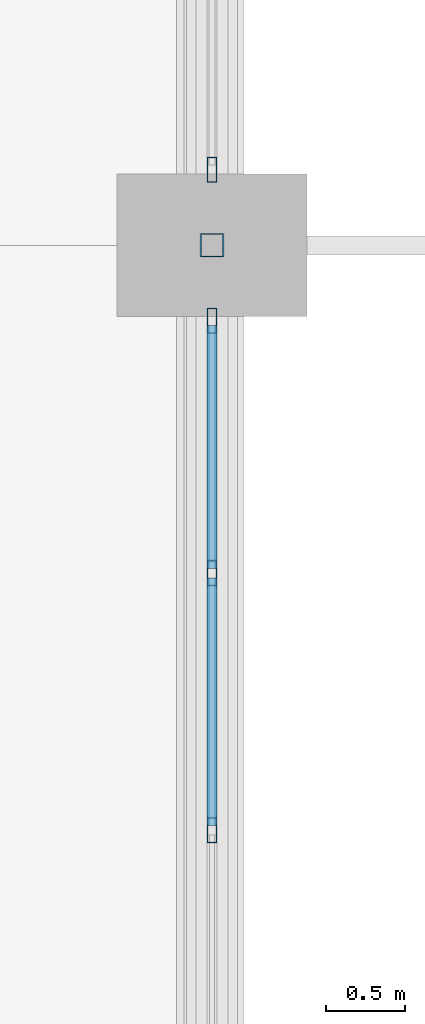
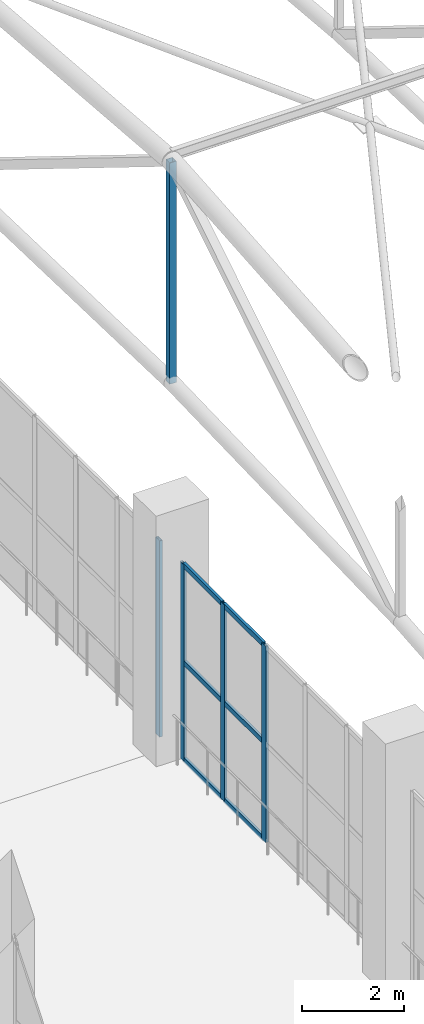
# One storey, part 112 of 223: 11 members, 2 elements without a shape of their own.
"""IFC4 building model written with IfcOpenShell, lengths in metres."""

from ifc_helpers import new_model, si_unit, direction, frame, origin, origin_2d, place, context, subcontext, project, spatial, hollow_rectangle, extrude, material, layer, layer_set, material_profile, profile_set, type_object, element, aggregate, save


model = new_model("IFC4")

# Units and contexts
model_context = context("Model", 3, precision=1e-05, world=origin(), true_north=direction((0.0, 1.0)))
body_context = subcontext(model_context, "Body", "Model", "MODEL_VIEW")
ifc_project = project(units=[si_unit("LENGTHUNIT", "METRE"), si_unit("AREAUNIT", "SQUARE_METRE"), si_unit("VOLUMEUNIT", "CUBIC_METRE"), si_unit("PLANEANGLEUNIT", "RADIAN"), si_unit("MASSUNIT", "GRAM", prefix="KILO")], contexts=[model_context])

# Site, building, storey
site_placement = place(None, origin())
site = spatial("IfcSite", under=ifc_project, at=site_placement, CompositionType="ELEMENT")
building_placement = place(site_placement, origin())
building = spatial("IfcBuilding", under=site, at=building_placement, Name="Dornveld Trade and Exhibition Forum", CompositionType="ELEMENT")
storey_placement = place(building_placement, frame((0.0, 0.0, 6.0)))
storey = spatial("IfcBuildingStorey", under=building, at=storey_placement, Name="L01", CompositionType="ELEMENT", Elevation=6.0)

# Curtain wall, members
ifc_material_1 = material(Name="Dark-bronze anodised aluminium and low-E glass", Category="aluminium")
ifc_layer_1 = layer(ifc_material_1, 0.177978515625)
ifc_layer_set_1 = layer_set([ifc_layer_1], Name="Dark-bronze anodised aluminium and low-E glass")
curtain_wall_type_1 = type_object("IfcCurtainWallType", Name="CW-SYS-12", PredefinedType="USERDEFINED", material=ifc_layer_set_1)
curtain_wall_1_placement = place(storey_placement, origin())
curtain_wall_1 = element("IfcCurtainWall", 1, at=curtain_wall_1_placement, inside=storey, type_object=curtain_wall_type_1, Name="L01 unitised curtain wall 12", ObjectType="UNITISED_CURTAIN_WALL", PredefinedType="USERDEFINED")
ifc_material_2 = material(Name="Dark-bronze anodised aluminium", Category="aluminium")
ifc_material_profile_1 = material_profile(ifc_material_2, hollow_rectangle(XDim=0.06005859375, YDim=0.159912109375, WallThickness=0.00390625, at=origin_2d()), Name="RHS 160x60x4")
ifc_profile_set_1 = profile_set([ifc_material_profile_1], Name="Dark-bronze anodised aluminium")
member_type_1 = type_object("IfcMemberType", Name="CW-MUL-160", PredefinedType="MULLION", material=ifc_profile_set_1)
member_1_placement = place(storey_placement, frame((99.0, 134.52392578125, -0.00390625), z_axis=(0.0, 0.0, 1.0), x_axis=(1.0, 0.0, 0.0)))
member_1 = element("IfcMember", 2, at=member_1_placement, type_object=member_type_1, Name="CW-12 mullion 1", PredefinedType="MULLION", context=body_context, shape_type="SweptSolid", body=[
    extrude(hollow_rectangle(XDim=0.06005859375, YDim=0.159912109375, WallThickness=0.00390625, at=origin_2d()), origin(), (0.0, 0.0, 1.0), 4.703857421875),
])
member_2_placement = place(storey_placement, frame((99.0, 132.932373046875, -0.00390625), z_axis=(0.0, 0.0, 1.0), x_axis=(1.0, 0.0, 0.0)))
member_2 = element("IfcMember", 3, at=member_2_placement, type_object=member_type_1, Name="CW-12 mullion 2", PredefinedType="MULLION", context=body_context, shape_type="SweptSolid", body=[
    extrude(hollow_rectangle(XDim=0.06005859375, YDim=0.159912109375, WallThickness=0.00390625, at=origin_2d()), origin(), (0.0, 0.0, 1.0), 4.703857421875),
])
member_3_placement = place(storey_placement, frame((99.0, 131.310791015625, -0.00390625), z_axis=(0.0, 0.0, 1.0), x_axis=(1.0, 0.0, 0.0)))
member_3 = element("IfcMember", 4, at=member_3_placement, type_object=member_type_1, Name="CW-12 mullion 3", PredefinedType="MULLION", context=body_context, shape_type="SweptSolid", body=[
    extrude(hollow_rectangle(XDim=0.06005859375, YDim=0.159912109375, WallThickness=0.00390625, at=origin_2d()), origin(), (0.0, 0.0, 1.0), 4.703857421875),
])

# Curtain wall, member
ifc_material_3 = material(Name="Dark-bronze anodised aluminium and low-E glass", Category="aluminium")
ifc_layer_2 = layer(ifc_material_3, 0.18408203125)
ifc_layer_set_2 = layer_set([ifc_layer_2], Name="Dark-bronze anodised aluminium and low-E glass")
curtain_wall_type_2 = type_object("IfcCurtainWallType", Name="CW-SYS-14", PredefinedType="USERDEFINED", material=ifc_layer_set_2)
curtain_wall_2_placement = place(storey_placement, origin())
curtain_wall_2 = element("IfcCurtainWall", 5, at=curtain_wall_2_placement, inside=storey, type_object=curtain_wall_type_2, Name="L01 unitised curtain wall 14", ObjectType="UNITISED_CURTAIN_WALL", PredefinedType="USERDEFINED")
member_4_placement = place(storey_placement, frame((99.0, 135.47607421875, -0.00390625), z_axis=(0.0, 0.0, 1.0), x_axis=(1.0, 0.0, 0.0)))
member_4 = element("IfcMember", 6, at=member_4_placement, type_object=member_type_1, Name="CW-14 mullion 6", PredefinedType="MULLION", context=body_context, shape_type="SweptSolid", body=[
    extrude(hollow_rectangle(XDim=0.06005859375, YDim=0.159912109375, WallThickness=0.00390625, at=origin_2d()), origin(), (0.0, 0.0, 1.0), 4.703857421875),
])
aggregate(curtain_wall_2, [member_4])

# Member
ifc_material_4 = material(Name="Dark-bronze anodised aluminium", Category="aluminium")
ifc_material_profile_2 = material_profile(ifc_material_4, hollow_rectangle(XDim=0.06005859375, YDim=0.1201171875, WallThickness=0.00390625, at=origin_2d()), Name="RHS 120x60x4")
ifc_profile_set_2 = profile_set([ifc_material_profile_2], Name="Dark-bronze anodised aluminium")
member_type_2 = type_object("IfcMemberType", Name="CW-TRN-120", PredefinedType="USERDEFINED", material=ifc_profile_set_2)
member_5_placement = place(storey_placement, frame((99.0, 134.493896484375, 0.02587890625), z_axis=(0.0, -1.0, 0.0), x_axis=(1.0, 0.0, 0.0)))
member_5 = element("IfcMember", 7, at=member_5_placement, type_object=member_type_2, Name="CW-12 transom 1.1", ObjectType="TRANSOM", PredefinedType="USERDEFINED", context=body_context, shape_type="SweptSolid", body=[
    extrude(hollow_rectangle(XDim=0.06005859375, YDim=0.1201171875, WallThickness=0.00390625, at=origin_2d()), origin(), (0.0, 0.0, 1.0), 1.531494140625),
])

member_6_placement = place(storey_placement, frame((99.0, 134.493896484375, 2.347900390625), z_axis=(0.0, -1.0, 0.0), x_axis=(1.0, 0.0, 0.0)))
member_6 = element("IfcMember", 8, at=member_6_placement, type_object=member_type_2, Name="CW-12 transom 1.2", ObjectType="TRANSOM", PredefinedType="USERDEFINED", context=body_context, shape_type="SweptSolid", body=[
    extrude(hollow_rectangle(XDim=0.06005859375, YDim=0.1201171875, WallThickness=0.00390625, at=origin_2d()), origin(), (0.0, 0.0, 1.0), 1.531494140625),
])

member_7_placement = place(storey_placement, frame((99.0, 134.493896484375, 4.669921875), z_axis=(0.0, -1.0, 0.0), x_axis=(1.0, 0.0, 0.0)))
member_7 = element("IfcMember", 9, at=member_7_placement, type_object=member_type_2, Name="CW-12 transom 1.3", ObjectType="TRANSOM", PredefinedType="USERDEFINED", context=body_context, shape_type="SweptSolid", body=[
    extrude(hollow_rectangle(XDim=0.06005859375, YDim=0.1201171875, WallThickness=0.00390625, at=origin_2d()), origin(), (0.0, 0.0, 1.0), 1.531494140625),
])

member_8_placement = place(storey_placement, frame((99.0, 132.90234375, 0.02587890625), z_axis=(0.0, -1.0, 0.0), x_axis=(1.0, 0.0, 0.0)))
member_8 = element("IfcMember", 10, at=member_8_placement, type_object=member_type_2, Name="CW-12 transom 2.1", ObjectType="TRANSOM", PredefinedType="USERDEFINED", context=body_context, shape_type="SweptSolid", body=[
    extrude(hollow_rectangle(XDim=0.06005859375, YDim=0.1201171875, WallThickness=0.00390625, at=origin_2d()), origin(), (0.0, 0.0, 1.0), 1.5615234375),
])

member_9_placement = place(storey_placement, frame((99.0, 132.90234375, 2.347900390625), z_axis=(0.0, -1.0, 0.0), x_axis=(1.0, 0.0, 0.0)))
member_9 = element("IfcMember", 11, at=member_9_placement, type_object=member_type_2, Name="CW-12 transom 2.2", ObjectType="TRANSOM", PredefinedType="USERDEFINED", context=body_context, shape_type="SweptSolid", body=[
    extrude(hollow_rectangle(XDim=0.06005859375, YDim=0.1201171875, WallThickness=0.00390625, at=origin_2d()), origin(), (0.0, 0.0, 1.0), 1.5615234375),
])

member_10_placement = place(storey_placement, frame((99.0, 132.90234375, 4.669921875), z_axis=(0.0, -1.0, 0.0), x_axis=(1.0, 0.0, 0.0)))
member_10 = element("IfcMember", 12, at=member_10_placement, type_object=member_type_2, Name="CW-12 transom 2.3", ObjectType="TRANSOM", PredefinedType="USERDEFINED", context=body_context, shape_type="SweptSolid", body=[
    extrude(hollow_rectangle(XDim=0.06005859375, YDim=0.1201171875, WallThickness=0.00390625, at=origin_2d()), origin(), (0.0, 0.0, 1.0), 1.5615234375),
])

aggregate(curtain_wall_1, [member_1, member_2, member_3, member_5, member_6, member_7, member_8, member_9, member_10])

ifc_material_5 = material(Name="Steel S355J2", Category="steel")
ifc_material_profile_3 = material_profile(ifc_material_5, hollow_rectangle(XDim=0.14990234375, YDim=0.14990234375, WallThickness=0.008056640625, at=origin_2d()), Name="SHS 150x150x8")
ifc_profile_set_3 = profile_set([ifc_material_profile_3], Name="Steel S355J2")
member_type_3 = type_object("IfcMemberType", Name="MEM-ARCH-STR", PredefinedType="STRUT", material=ifc_profile_set_3)
member_11_placement = place(storey_placement, frame((99.0, 135.0, 8.75), z_axis=(0.0, 0.0, 1.0), x_axis=(1.0, 0.0, 0.0)))
element("IfcMember", 13, at=member_11_placement, inside=storey, type_object=member_type_3, Name="H1 truss 1 strut 4", PredefinedType="STRUT", context=body_context, shape_type="SweptSolid", body=[
    extrude(hollow_rectangle(XDim=0.14990234375, YDim=0.14990234375, WallThickness=0.008056640625, at=origin_2d()), origin(), (0.0, 0.0, 1.0), 5.300048828125),
])

save(model, "model.ifc")
